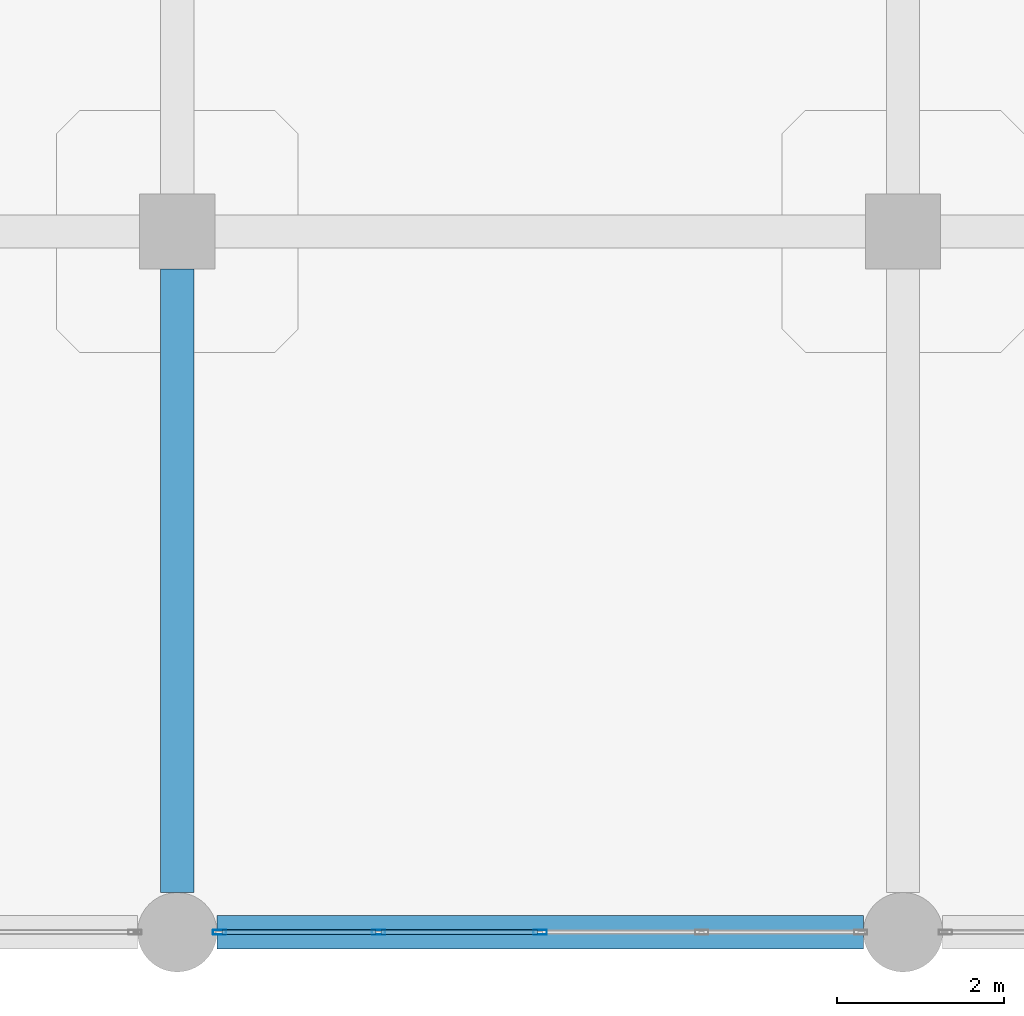
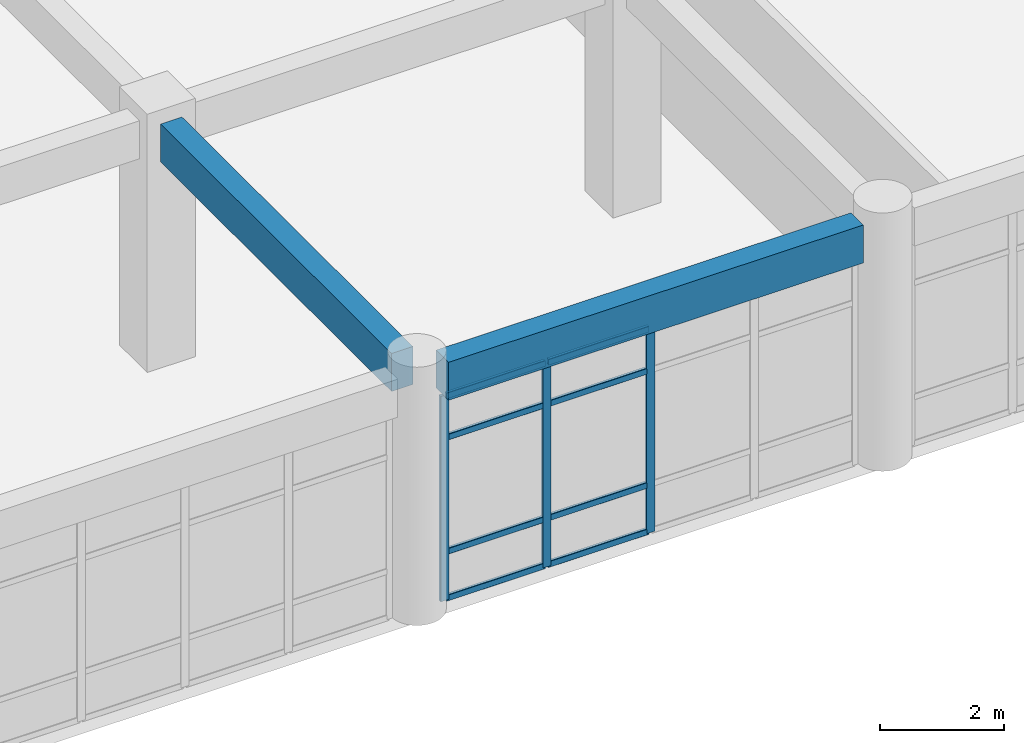
# One storey, part 13 of 120: 11 members, 2 beams, 1 element without a shape of its own.
"""IFC4 building model written with IfcOpenShell, lengths in metres."""

from ifc_helpers import new_model, si_unit, derived_unit, direction, frame, origin, origin_2d, place, context, subcontext, project, spatial, rectangle, hollow_rectangle, extrude, material, layer, layer_set, material_profile, profile_set, type_object, element, aggregate, save


model = new_model("IFC4")

# Units and contexts
model_context = context("Model", 3, precision=1e-05, world=origin(), true_north=direction((0.0, 1.0)))
body_context = subcontext(model_context, "Body", "Model", "MODEL_VIEW")
ifc_project = project(units=[si_unit("LENGTHUNIT", "METRE"), si_unit("AREAUNIT", "SQUARE_METRE"), si_unit("VOLUMEUNIT", "CUBIC_METRE"), si_unit("PLANEANGLEUNIT", "RADIAN"), si_unit("MASSUNIT", "GRAM", prefix="KILO"), derived_unit("THERMALTRANSMITTANCEUNIT", [(si_unit("MASSUNIT", "GRAM", prefix="KILO"), 1), (si_unit("TIMEUNIT", "SECOND"), -3), (si_unit("THERMODYNAMICTEMPERATUREUNIT", "KELVIN"), -1)])], contexts=[model_context])

# Site, building, storey
site_placement = place(None, origin())
site = spatial("IfcSite", under=ifc_project, at=site_placement, CompositionType="ELEMENT")
building_placement = place(site_placement, origin())
building = spatial("IfcBuilding", under=site, at=building_placement, Name="Qinzheling Arcade Emporium", CompositionType="ELEMENT")
storey_placement = place(building_placement, frame((0.0, 0.0, 11.39990234375)))
storey = spatial("IfcBuildingStorey", under=building, at=storey_placement, Name="L03", CompositionType="ELEMENT", Elevation=11.39990234375)

# Curtain wall, members
ifc_material_1 = material(Name="Anodised aluminium and solar-control double glazing", Category="aluminium")
ifc_layer = layer(ifc_material_1, 0.159912109375, Name="Anodised aluminium and solar-control double glazing", Category="aluminium")
ifc_layer_set = layer_set([ifc_layer], Name="Anodised aluminium and solar-control double glazing")
curtain_wall_type = type_object("IfcCurtainWallType", Name="Arcade Portal Glazed Curtain Wall", PredefinedType="NOTDEFINED", material=ifc_layer_set)
curtain_wall_placement = place(storey_placement, origin())
curtain_wall = element("IfcCurtainWall", 1, at=curtain_wall_placement, inside=storey, type_object=curtain_wall_type, Name="Curtain Wall CW-L03-150", PredefinedType="NOTDEFINED")
ifc_material_2 = material(Name="Anodised aluminium 6063-T6", Category="aluminium")
ifc_material_profile_1 = material_profile(ifc_material_2, hollow_rectangle(XDim=0.06005859375, YDim=0.159912109375, WallThickness=0.00390625, InnerFilletRadius=0.00390625, OuterFilletRadius=0.008056640625, at=origin_2d()), Name="RHS 160x60x4", Category="aluminium")
ifc_profile_set_1 = profile_set([ifc_material_profile_1], Name="Anodised aluminium 6063-T6")
member_type_1 = type_object("IfcMemberType", Name="Curtain Wall Mullion RHS160x60", PredefinedType="MULLION", material=ifc_profile_set_1)
member_1_placement = place(storey_placement, frame((47.85009765625, 0.0, 0.0), z_axis=(0.0, 0.0, 1.0), x_axis=(0.0, -1.0, 0.0)))
member_1 = element("IfcMember", 2, at=member_1_placement, type_object=member_type_1, Name="CW05 mullion 3", PredefinedType="MULLION", context=body_context, shape_type="SweptSolid", body=[
    extrude(hollow_rectangle(XDim=0.06005859375, YDim=0.159912109375, WallThickness=0.00390625, InnerFilletRadius=0.00390625, OuterFilletRadius=0.008056640625, at=origin_2d()), origin(), (0.0, 0.0, 1.0), 4.05517578125),
])
member_2_placement = place(storey_placement, frame((45.91357421875, 0.0, 0.0), z_axis=(0.0, 0.0, 1.0), x_axis=(0.0, -1.0, 0.0)))
member_2 = element("IfcMember", 3, at=member_2_placement, type_object=member_type_1, Name="CW05 mullion 4", PredefinedType="MULLION", context=body_context, shape_type="SweptSolid", body=[
    extrude(hollow_rectangle(XDim=0.06005859375, YDim=0.159912109375, WallThickness=0.00390625, InnerFilletRadius=0.00390625, OuterFilletRadius=0.008056640625, at=origin_2d()), origin(), (0.0, 0.0, 1.0), 4.05517578125),
])
member_3_placement = place(storey_placement, frame((44.007080078125, 0.0, 0.0), z_axis=(0.0, 0.0, 1.0), x_axis=(0.0, -1.0, 0.0)))
member_3 = element("IfcMember", 4, at=member_3_placement, type_object=member_type_1, Name="CW05 mullion 5", PredefinedType="MULLION", context=body_context, shape_type="SweptSolid", body=[
    extrude(hollow_rectangle(XDim=0.06005859375, YDim=0.159912109375, WallThickness=0.00390625, InnerFilletRadius=0.00390625, OuterFilletRadius=0.008056640625, at=origin_2d()), origin(), (0.0, 0.0, 1.0), 4.05517578125),
])
ifc_material_profile_2 = material_profile(ifc_material_2, hollow_rectangle(XDim=0.06005859375, YDim=0.1201171875, WallThickness=0.00390625, InnerFilletRadius=0.00390625, OuterFilletRadius=0.008056640625, at=origin_2d()), Name="RHS 120x60x4", Category="aluminium")
ifc_profile_set_2 = profile_set([ifc_material_profile_2], Name="Anodised aluminium 6063-T6")
member_type_2 = type_object("IfcMemberType", Name="Curtain Wall Transom RHS120x60", PredefinedType="USERDEFINED", material=ifc_profile_set_2)
member_4_placement = place(storey_placement, frame((47.820068359375, 0.0, 0.030029296875), z_axis=(-1.0, 0.0, 0.0), x_axis=(0.0, -1.0, 0.0)))
member_4 = element("IfcMember", 5, at=member_4_placement, type_object=member_type_2, Name="CW05 transom 3.1", ObjectType="TRANSOM", PredefinedType="USERDEFINED", context=body_context, shape_type="SweptSolid", body=[
    extrude(hollow_rectangle(XDim=0.06005859375, YDim=0.1201171875, WallThickness=0.00390625, InnerFilletRadius=0.00390625, OuterFilletRadius=0.008056640625, at=origin_2d()), origin(), (0.0, 0.0, 1.0), 1.87646484375),
])
member_5_placement = place(storey_placement, frame((47.820068359375, 0.0, 0.9501953125), z_axis=(-1.0, 0.0, 0.0), x_axis=(0.0, -1.0, 0.0)))
member_5 = element("IfcMember", 6, at=member_5_placement, type_object=member_type_2, Name="CW05 transom 3.2", ObjectType="TRANSOM", PredefinedType="USERDEFINED", context=body_context, shape_type="SweptSolid", body=[
    extrude(hollow_rectangle(XDim=0.06005859375, YDim=0.1201171875, WallThickness=0.00390625, InnerFilletRadius=0.00390625, OuterFilletRadius=0.008056640625, at=origin_2d()), origin(), (0.0, 0.0, 1.0), 1.87646484375),
])
member_6_placement = place(storey_placement, frame((47.820068359375, 0.0, 3.205078125), z_axis=(-1.0, 0.0, 0.0), x_axis=(0.0, -1.0, 0.0)))
member_6 = element("IfcMember", 7, at=member_6_placement, type_object=member_type_2, Name="CW05 transom 3.3", ObjectType="TRANSOM", PredefinedType="USERDEFINED", context=body_context, shape_type="SweptSolid", body=[
    extrude(hollow_rectangle(XDim=0.06005859375, YDim=0.1201171875, WallThickness=0.00390625, InnerFilletRadius=0.00390625, OuterFilletRadius=0.008056640625, at=origin_2d()), origin(), (0.0, 0.0, 1.0), 1.87646484375),
])
member_7_placement = place(storey_placement, frame((47.820068359375, 0.0, 4.025146484375), z_axis=(-1.0, 0.0, 0.0), x_axis=(0.0, -1.0, 0.0)))
member_7 = element("IfcMember", 8, at=member_7_placement, type_object=member_type_2, Name="CW05 transom 3.4", ObjectType="TRANSOM", PredefinedType="USERDEFINED", context=body_context, shape_type="SweptSolid", body=[
    extrude(hollow_rectangle(XDim=0.06005859375, YDim=0.1201171875, WallThickness=0.00390625, InnerFilletRadius=0.00390625, OuterFilletRadius=0.008056640625, at=origin_2d()), origin(), (0.0, 0.0, 1.0), 1.87646484375),
])
member_8_placement = place(storey_placement, frame((45.883544921875, 0.0, 0.030029296875), z_axis=(-1.0, 0.0, 0.0), x_axis=(0.0, -1.0, 0.0)))
member_8 = element("IfcMember", 9, at=member_8_placement, type_object=member_type_2, Name="CW05 transom 4.1", ObjectType="TRANSOM", PredefinedType="USERDEFINED", context=body_context, shape_type="SweptSolid", body=[
    extrude(hollow_rectangle(XDim=0.06005859375, YDim=0.1201171875, WallThickness=0.00390625, InnerFilletRadius=0.00390625, OuterFilletRadius=0.008056640625, at=origin_2d()), origin(), (0.0, 0.0, 1.0), 1.846435546875),
])
member_9_placement = place(storey_placement, frame((45.883544921875, 0.0, 0.9501953125), z_axis=(-1.0, 0.0, 0.0), x_axis=(0.0, -1.0, 0.0)))
member_9 = element("IfcMember", 10, at=member_9_placement, type_object=member_type_2, Name="CW05 transom 4.2", ObjectType="TRANSOM", PredefinedType="USERDEFINED", context=body_context, shape_type="SweptSolid", body=[
    extrude(hollow_rectangle(XDim=0.06005859375, YDim=0.1201171875, WallThickness=0.00390625, InnerFilletRadius=0.00390625, OuterFilletRadius=0.008056640625, at=origin_2d()), origin(), (0.0, 0.0, 1.0), 1.846435546875),
])
member_10_placement = place(storey_placement, frame((45.883544921875, 0.0, 3.205078125), z_axis=(-1.0, 0.0, 0.0), x_axis=(0.0, -1.0, 0.0)))
member_10 = element("IfcMember", 11, at=member_10_placement, type_object=member_type_2, Name="CW05 transom 4.3", ObjectType="TRANSOM", PredefinedType="USERDEFINED", context=body_context, shape_type="SweptSolid", body=[
    extrude(hollow_rectangle(XDim=0.06005859375, YDim=0.1201171875, WallThickness=0.00390625, InnerFilletRadius=0.00390625, OuterFilletRadius=0.008056640625, at=origin_2d()), origin(), (0.0, 0.0, 1.0), 1.846435546875),
])
member_11_placement = place(storey_placement, frame((45.883544921875, 0.0, 4.025146484375), z_axis=(-1.0, 0.0, 0.0), x_axis=(0.0, -1.0, 0.0)))
member_11 = element("IfcMember", 12, at=member_11_placement, type_object=member_type_2, Name="CW05 transom 4.4", ObjectType="TRANSOM", PredefinedType="USERDEFINED", context=body_context, shape_type="SweptSolid", body=[
    extrude(hollow_rectangle(XDim=0.06005859375, YDim=0.1201171875, WallThickness=0.00390625, InnerFilletRadius=0.00390625, OuterFilletRadius=0.008056640625, at=origin_2d()), origin(), (0.0, 0.0, 1.0), 1.846435546875),
])
aggregate(curtain_wall, [member_1, member_2, member_3, member_4, member_5, member_6, member_7, member_8, member_9, member_10, member_11])

# Beams
ifc_material_3 = material(Name="Concrete C40", Category="concrete")
ifc_material_profile_3 = material_profile(ifc_material_3, rectangle(XDim=0.39990234375, YDim=0.75, at=origin_2d()), Name="RC 400x750", Category="concrete")
ifc_profile_set_3 = profile_set([ifc_material_profile_3], Name="Concrete C40")
beam_type = type_object("IfcBeamType", Name="RC Interior Tie Beam 400x750 C40", PredefinedType="BEAM", material=ifc_profile_set_3)
beam_1_placement = place(storey_placement, frame((43.97509765625, 0.0, 4.445068359375), z_axis=(1.0, 0.0, 0.0), x_axis=(0.0, 1.0, 0.0)))
element("IfcBeam", 13, at=beam_1_placement, inside=storey, type_object=beam_type, Name="Beam BM-L03-X-A-6", PredefinedType="BEAM", context=body_context, shape_type="SweptSolid", body=[
    extrude(rectangle(XDim=0.39990234375, YDim=0.75, at=origin_2d()), origin(), (0.0, 0.0, 1.0), 7.75),
])
beam_2_placement = place(storey_placement, frame((43.5, 0.47509765625, 4.445068359375), z_axis=(0.0, 1.0, 0.0), x_axis=(-1.0, 0.0, 0.0)))
element("IfcBeam", 14, at=beam_2_placement, inside=storey, type_object=beam_type, Name="Beam BM-L03-Y-6-A", PredefinedType="BEAM", context=body_context, shape_type="SweptSolid", body=[
    extrude(rectangle(XDim=0.39990234375, YDim=0.75, at=origin_2d()), origin(), (0.0, 0.0, 1.0), 7.474853515625),
])

save(model, "model.ifc")
